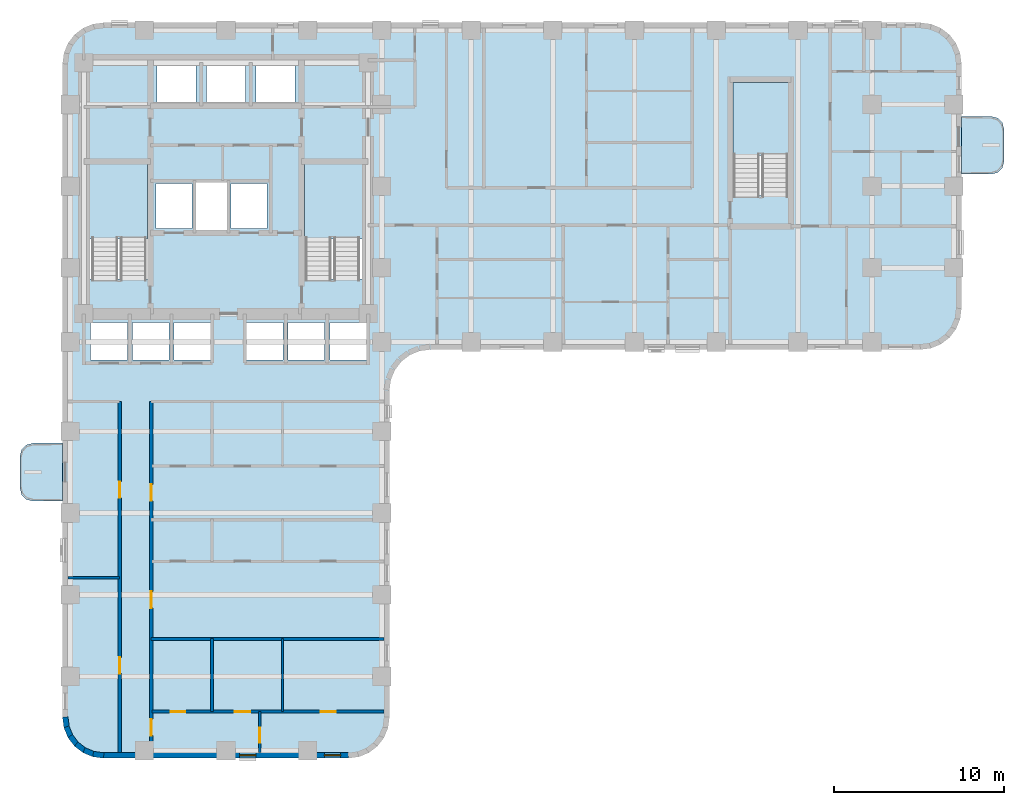
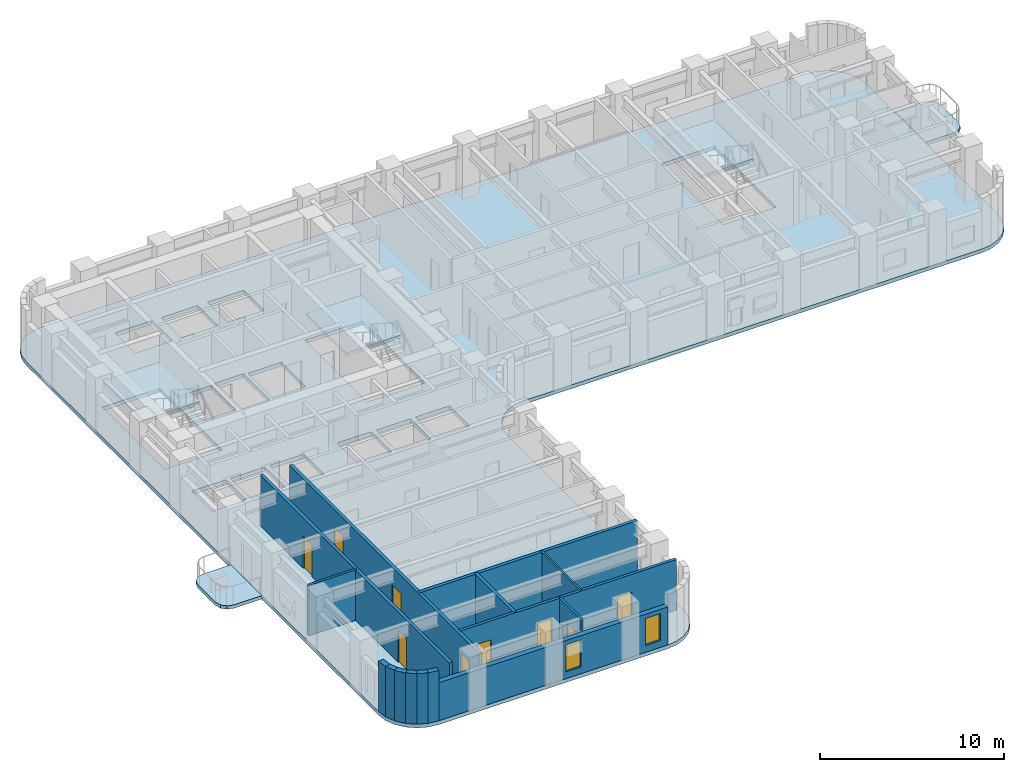
# One storey, part 2 of 10: 15 walls, 9 doors, 6 slabs, 2 windows, 11 openings, 3 elements without a shape of their own.
"""IFC4 building model written with IfcOpenShell, lengths in metres."""

from ifc_helpers import new_model, si_unit, direction, frame, frame_2d, origin, place, context, subcontext, project, spatial, polyline, rectangle, outline, extrude, material, layer, layer_set, type_object, element, fill, aggregate, save


model = new_model("IFC4")

# Units and contexts
model_context = context("Model", 3, precision=1e-05, world=origin(), true_north=direction((0.0, 1.0)))
body_context = subcontext(model_context, "Body", "Model", "MODEL_VIEW")
ifc_project = project(units=[si_unit("LENGTHUNIT", "METRE"), si_unit("AREAUNIT", "SQUARE_METRE"), si_unit("VOLUMEUNIT", "CUBIC_METRE"), si_unit("PLANEANGLEUNIT", "RADIAN"), si_unit("MASSUNIT", "GRAM", prefix="KILO")], contexts=[model_context])

# Site, building, storey
site_placement = place(None, origin())
site = spatial("IfcSite", under=ifc_project, at=site_placement, CompositionType="ELEMENT")
building_placement = place(site_placement, origin())
building = spatial("IfcBuilding", under=site, at=building_placement, Name="Orvandelia Arch Residences", CompositionType="ELEMENT")
storey_placement = place(building_placement, frame((0.0, 0.0, 68.199951171875)))
storey = spatial("IfcBuildingStorey", under=building, at=storey_placement, Name="L17", CompositionType="ELEMENT", Elevation=68.199951171875)

# Slabs
ifc_material_1 = material(Name="Precast concrete C40/50", Category="concrete")
ifc_layer_1 = layer(ifc_material_1, 0.219970703125, Name="Precast concrete C40/50", Category="concrete")
ifc_layer_set_1 = layer_set([ifc_layer_1], Name="Precast concrete C40/50")
slab_type_1 = type_object("IfcSlabType", Name="SLB-BAL-220", PredefinedType="USERDEFINED", material=ifc_layer_set_1)
slab_1_placement = place(storey_placement, frame((0.0, 0.0, -0.219970703125)))
element("IfcSlab", 1, at=slab_1_placement, inside=storey, type_object=slab_type_1, Name="Tree Balcony Cantilever Slab BAL-L17-W1", ObjectType="BALCONY", PredefinedType="USERDEFINED", context=body_context, shape_type="SweptSolid", body=[
    extrude(outline(polyline([(4.800048828125, 19.89990234375), (4.800048828125, 23.300048828125), (3.050048828125, 23.300048828125), (2.675048828125, 23.199462890625), (2.400390625, 22.925048828125), (2.300048828125, 22.550048828125), (2.300048828125, 20.64990234375), (2.400390625, 20.27490234375), (2.675048828125, 20.00048828125), (3.050048828125, 19.89990234375), (4.800048828125, 19.89990234375)])), origin(), (0.0, 0.0, 1.0), 0.219970703125),
])
slab_2_placement = place(storey_placement, frame((0.0, 0.0, -0.219970703125)))
element("IfcSlab", 2, at=slab_2_placement, inside=storey, type_object=slab_type_1, Name="Tree Balcony Cantilever Slab BAL-L17-E1", ObjectType="BALCONY", PredefinedType="USERDEFINED", context=body_context, shape_type="SweptSolid", body=[
    extrude(outline(polyline([(57.60009765625, 42.5), (57.60009765625, 39.10009765625), (59.35009765625, 39.10009765625), (59.72509765625, 39.200439453125), (59.99951171875, 39.47509765625), (60.10009765625, 39.85009765625), (60.10009765625, 41.75), (59.99951171875, 42.125), (59.72509765625, 42.3994140625), (59.35009765625, 42.5), (57.60009765625, 42.5)])), origin(), (0.0, 0.0, 1.0), 0.219970703125),
])

# Stair, slab
ifc_material_2 = material(Name="Concrete C40/50", Category="concrete")
stair_type = type_object("IfcStairType", Name="STAIR-RC-DOGLEG", PredefinedType="HALF_TURN_STAIR", material=ifc_material_2)
stair_1_placement = place(storey_placement, origin())
stair_1 = element("IfcStair", 3, at=stair_1_placement, inside=storey, type_object=stair_type, Name="L17 Protected Exit Stair ST-1", PredefinedType="HALF_TURN_STAIR")
ifc_layer_2 = layer(ifc_material_2, 0.219970703125, Name="Concrete C40/50", Category="concrete")
ifc_layer_set_2 = layer_set([ifc_layer_2], Name="Concrete C40/50")
slab_type_2 = type_object("IfcSlabType", Name="SLB-LANDING-220", PredefinedType="LANDING", material=ifc_layer_set_2)
slab_3_placement = place(storey_placement, frame((0.0, 0.0, 1.60009765625)))
slab_3 = element("IfcSlab", 4, at=slab_3_placement, type_object=slab_type_2, Name="ST-1 landing 1", PredefinedType="LANDING", context=body_context, shape_type="SweptSolid", body=[
    extrude(outline(polyline([(9.800048828125, 35.31005859375), (9.800048828125, 39.68994140625), (6.260009765625, 39.68994140625), (6.260009765625, 35.31005859375), (9.800048828125, 35.31005859375)])), origin(), (0.0, 0.0, 1.0), 0.199951171875),
])
aggregate(stair_1, [slab_3])

stair_2_placement = place(storey_placement, origin())
stair_2 = element("IfcStair", 5, at=stair_2_placement, inside=storey, type_object=stair_type, Name="L17 Protected Exit Stair ST-2", PredefinedType="HALF_TURN_STAIR")
slab_4_placement = place(storey_placement, frame((0.0, 0.0, 1.60009765625)))
slab_4 = element("IfcSlab", 6, at=slab_4_placement, type_object=slab_type_2, Name="ST-2 landing 1", PredefinedType="LANDING", context=body_context, shape_type="SweptSolid", body=[
    extrude(outline(polyline([(22.5400390625, 35.31005859375), (22.5400390625, 39.68994140625), (19.0, 39.68994140625), (19.0, 35.31005859375), (22.5400390625, 35.31005859375)])), origin(), (0.0, 0.0, 1.0), 0.199951171875),
])
aggregate(stair_2, [slab_4])

stair_3_placement = place(storey_placement, origin())
stair_3 = element("IfcStair", 7, at=stair_3_placement, inside=storey, type_object=stair_type, Name="L17 East Wing Exit Stair ST-3", PredefinedType="HALF_TURN_STAIR")
slab_5_placement = place(storey_placement, frame((0.0, 0.0, 1.60009765625)))
slab_5 = element("IfcSlab", 8, at=slab_5_placement, type_object=slab_type_2, Name="ST-3 landing 1", PredefinedType="LANDING", context=body_context, shape_type="SweptSolid", body=[
    extrude(outline(polyline([(47.43994140625, 40.2099609375), (47.43994140625, 44.5), (44.179931640625, 44.5), (44.179931640625, 40.2099609375), (47.43994140625, 40.2099609375)])), origin(), (0.0, 0.0, 1.0), 0.199951171875),
])
aggregate(stair_3, [slab_5])

# Slab
ifc_layer_3 = layer(ifc_material_2, 0.25, Name="Concrete C40/50", Category="concrete")
ifc_layer_set_3 = layer_set([ifc_layer_3], Name="Concrete C40/50")
slab_type_3 = type_object("IfcSlabType", Name="SLB-TWR-250", PredefinedType="FLOOR", material=ifc_layer_set_3)
slab_6_placement = place(storey_placement, frame((0.0, 0.0, -0.25)))
element("IfcSlab", 9, at=slab_6_placement, inside=storey, type_object=slab_type_3, Name="Structural Floor Slab L17-1", PredefinedType="FLOOR", context=body_context, shape_type="SweptSolid", body=[
    extrude(outline(polyline([(4.800048828125, 7.199951171875), (4.8818359375, 6.578857421875), (5.12158203125, 6.0), (5.5029296875, 5.5029296875), (6.0, 5.12158203125), (6.578857421875, 4.8818359375), (7.199951171875, 4.800048828125), (21.60009765625, 4.800048828125), (22.22119140625, 4.8818359375), (22.800048828125, 5.12158203125), (23.297119140625, 5.5029296875), (23.678466796875, 6.0), (23.918212890625, 6.578857421875), (24.0, 7.199951171875), (24.0, 26.39990234375), (24.081787109375, 27.021240234375), (24.321533203125, 27.60009765625), (24.702880859375, 28.09716796875), (25.199951171875, 28.478515625), (25.77880859375, 28.71826171875), (26.39990234375, 28.800048828125), (55.199951171875, 28.800048828125), (55.8212890625, 28.8818359375), (56.39990234375, 29.12158203125), (56.897216796875, 29.5029296875), (57.278564453125, 30.0), (57.518310546875, 30.578857421875), (57.60009765625, 31.199951171875), (57.60009765625, 45.60009765625), (57.518310546875, 46.22119140625), (57.278564453125, 46.800048828125), (56.897216796875, 47.297119140625), (56.39990234375, 47.678466796875), (55.8212890625, 47.918212890625), (55.199951171875, 48.0), (7.199951171875, 48.0), (6.578857421875, 47.918212890625), (6.0, 47.678466796875), (5.5029296875, 47.297119140625), (5.12158203125, 46.800048828125), (4.8818359375, 46.22119140625), (4.800048828125, 45.60009765625), (4.800048828125, 7.199951171875)]), holes=[polyline([(6.219970703125, 32.949951171875), (9.840087890625, 32.949951171875), (9.840087890625, 39.72998046875), (6.219970703125, 39.72998046875), (6.219970703125, 32.949951171875)]), polyline([(18.9599609375, 32.949951171875), (22.580078125, 32.949951171875), (22.580078125, 39.72998046875), (18.9599609375, 39.72998046875), (18.9599609375, 32.949951171875)]), polyline([(44.139892578125, 37.85009765625), (47.47998046875, 37.85009765625), (47.47998046875, 44.5400390625), (44.139892578125, 44.5400390625), (44.139892578125, 37.85009765625)]), polyline([(12.639892578125, 35.81005859375), (14.4599609375, 35.81005859375), (14.4599609375, 38.639892578125), (12.639892578125, 38.639892578125), (12.639892578125, 35.81005859375)]), polyline([(10.300048828125, 35.89990234375), (12.39990234375, 35.89990234375), (12.39990234375, 38.550048828125), (10.300048828125, 38.550048828125), (10.300048828125, 35.89990234375)]), polyline([(14.699951171875, 35.89990234375), (16.800048828125, 35.89990234375), (16.800048828125, 38.550048828125), (14.699951171875, 38.550048828125), (14.699951171875, 35.89990234375)]), polyline([(10.35009765625, 43.300048828125), (12.64990234375, 43.300048828125), (12.64990234375, 45.5), (10.35009765625, 45.5), (10.35009765625, 43.300048828125)]), polyline([(13.25, 43.300048828125), (15.550048828125, 43.300048828125), (15.550048828125, 45.5), (13.25, 45.5), (13.25, 43.300048828125)]), polyline([(16.14990234375, 43.300048828125), (18.449951171875, 43.300048828125), (18.449951171875, 45.5), (16.14990234375, 45.5), (16.14990234375, 43.300048828125)]), polyline([(6.449951171875, 28.199951171875), (8.60009765625, 28.199951171875), (8.60009765625, 30.39990234375), (6.449951171875, 30.39990234375), (6.449951171875, 28.199951171875)]), polyline([(8.89990234375, 28.199951171875), (11.050048828125, 28.199951171875), (11.050048828125, 30.39990234375), (8.89990234375, 30.39990234375), (8.89990234375, 28.199951171875)]), polyline([(11.35009765625, 28.199951171875), (13.5, 28.199951171875), (13.5, 30.39990234375), (11.35009765625, 30.39990234375), (11.35009765625, 28.199951171875)]), polyline([(15.60009765625, 28.199951171875), (17.75, 28.199951171875), (17.75, 30.39990234375), (15.60009765625, 30.39990234375), (15.60009765625, 28.199951171875)]), polyline([(18.050048828125, 28.199951171875), (20.199951171875, 28.199951171875), (20.199951171875, 30.39990234375), (18.050048828125, 30.39990234375), (18.050048828125, 28.199951171875)]), polyline([(20.5, 28.199951171875), (22.64990234375, 28.199951171875), (22.64990234375, 30.39990234375), (20.5, 30.39990234375), (20.5, 28.199951171875)])]), origin(), (0.0, 0.0, 1.0), 0.25),
])

# Wall, openings, doors
ifc_material_3 = material(Name="Fire-Rated Corridor Partition")
ifc_layer_4 = layer(ifc_material_3, 0.199951171875, Name="Fire-Rated Corridor Partition")
ifc_layer_set_4 = layer_set([ifc_layer_4], Name="Fire-Rated Corridor Partition")
wall_type_1 = type_object("IfcWallType", Name="WL-CORR-200", PredefinedType="PARTITIONING", material=ifc_layer_set_4)
wall_1_placement = place(storey_placement, frame((8.14990234375, 5.1201171875, 0.0), z_axis=(0.0, 0.0, 1.0), x_axis=(0.0, 1.0, 0.0)))
wall_1 = element("IfcWall", 10, at=wall_1_placement, inside=storey, type_object=wall_type_1, Name="Interior Partition Wall WL-L17-WC-W", PredefinedType="PARTITIONING", context=body_context, shape_type="SweptSolid", body=[
    extrude(rectangle(XDim=20.6298828125, YDim=0.199951171875, at=frame_2d((10.31494140625, 0.0))), origin(), (0.0, 0.0, 1.0), 3.35009765625),
])
opening_1_placement = place(wall_1_placement, frame((4.64990234375, 0.0, 0.0)))
opening_1 = element("IfcOpeningElement", 11, at=opening_1_placement, cuts=wall_1, Name="Opening D2", PredefinedType="OPENING", context=body_context, shape_type="SweptSolid", body=[
    extrude(rectangle(XDim=0.949951171875, YDim=2.14990234375, at=frame_2d((0.47509765625, 1.074951171875))), frame((0.0, 0.10986328125, 0.0), z_axis=(0.0, -1.0, 0.0), x_axis=(1.0, 0.0, 0.0)), (0.0, 0.0, 1.0), 0.219970703125),
])
opening_2_placement = place(wall_1_placement, frame((14.969970703125, 0.0, 0.0)))
opening_2 = element("IfcOpeningElement", 12, at=opening_2_placement, cuts=wall_1, Name="Opening D2", PredefinedType="OPENING", context=body_context, shape_type="SweptSolid", body=[
    extrude(rectangle(XDim=0.949951171875, YDim=2.14990234375, at=frame_2d((0.47509765625, 1.074951171875))), frame((0.0, 0.10986328125, 0.0), z_axis=(0.0, -1.0, 0.0), x_axis=(1.0, 0.0, 0.0)), (0.0, 0.0, 1.0), 0.219970703125),
])
ifc_material_4 = material(Name="Solid-Core Timber Interior Fire Door", Category="wood")
door_type_1 = type_object("IfcDoorType", Name="DR-APT-950", OperationType="NOTDEFINED", PredefinedType="DOOR", material=ifc_material_4)
door_1_placement = place(opening_1_placement, origin())
door_1 = element("IfcDoor", 13, at=door_1_placement, inside=storey, type_object=door_type_1, Name="DR-L17-WGRM-1", OperationType="SINGLE_SWING_LEFT", OverallHeight=2.14990234375, OverallWidth=0.949951171875, PredefinedType="DOOR", context=body_context, shape_type="SweptSolid", body=[
    extrude(rectangle(XDim=0.949951171875, YDim=2.14990234375, at=frame_2d((0.47509765625, 1.074951171875))), frame((0.0, 0.02490234375, 0.0), z_axis=(0.0, -1.0, 0.0), x_axis=(1.0, 0.0, 0.0)), (0.0, 0.0, 1.0), 0.050048828125),
])
fill(opening_1, door_1)
door_2_placement = place(opening_2_placement, origin())
door_2 = element("IfcDoor", 14, at=door_2_placement, inside=storey, type_object=door_type_1, Name="DR-L17-WGRM-2", OperationType="SINGLE_SWING_RIGHT", OverallHeight=2.14990234375, OverallWidth=0.949951171875, PredefinedType="DOOR", context=body_context, shape_type="SweptSolid", body=[
    extrude(rectangle(XDim=0.949951171875, YDim=2.14990234375, at=frame_2d((0.47509765625, 1.074951171875))), frame((0.0, 0.02490234375, 0.0), z_axis=(0.0, -1.0, 0.0), x_axis=(1.0, 0.0, 0.0)), (0.0, 0.0, 1.0), 0.050048828125),
])
fill(opening_2, door_2)

wall_2_placement = place(storey_placement, frame((10.0, 5.1201171875, 0.0), z_axis=(0.0, 0.0, 1.0), x_axis=(0.0, 1.0, 0.0)))
wall_2 = element("IfcWall", 15, at=wall_2_placement, inside=storey, type_object=wall_type_1, Name="Interior Partition Wall WL-L17-WC-E", PredefinedType="PARTITIONING", context=body_context, shape_type="SweptSolid", body=[
    extrude(rectangle(XDim=20.6298828125, YDim=0.199951171875, at=frame_2d((10.31494140625, 0.0))), origin(), (0.0, 0.0, 1.0), 3.35009765625),
])
opening_3_placement = place(wall_2_placement, frame((0.998046875, 0.0, 0.0)))
opening_3 = element("IfcOpeningElement", 16, at=opening_3_placement, cuts=wall_2, Name="Opening D1", PredefinedType="OPENING", context=body_context, shape_type="SweptSolid", body=[
    extrude(rectangle(XDim=0.97998046875, YDim=2.179931640625, at=frame_2d((0.489990234375, 1.08984375))), frame((0.0, 0.10986328125, 0.0), z_axis=(0.0, -1.0, 0.0), x_axis=(1.0, 0.0, 0.0)), (0.0, 0.0, 1.0), 0.219970703125),
])
opening_4_placement = place(wall_2_placement, frame((8.490966796875, 0.0, 0.0)))
opening_4 = element("IfcOpeningElement", 17, at=opening_4_placement, cuts=wall_2, Name="Opening D1", PredefinedType="OPENING", context=body_context, shape_type="SweptSolid", body=[
    extrude(rectangle(XDim=0.97998046875, YDim=2.179931640625, at=frame_2d((0.489990234375, 1.08984375))), frame((0.0, 0.10986328125, 0.0), z_axis=(0.0, -1.0, 0.0), x_axis=(1.0, 0.0, 0.0)), (0.0, 0.0, 1.0), 0.219970703125),
])
opening_5_placement = place(wall_2_placement, frame((14.787109375, 0.0, 0.0)))
opening_5 = element("IfcOpeningElement", 18, at=opening_5_placement, cuts=wall_2, Name="Opening D1", PredefinedType="OPENING", context=body_context, shape_type="SweptSolid", body=[
    extrude(rectangle(XDim=0.97998046875, YDim=2.179931640625, at=frame_2d((0.489990234375, 1.08984375))), frame((0.0, 0.10986328125, 0.0), z_axis=(0.0, -1.0, 0.0), x_axis=(1.0, 0.0, 0.0)), (0.0, 0.0, 1.0), 0.219970703125),
])
ifc_material_5 = material(Name="Solid-Core Timber Acoustic Fire Door", Category="wood")
door_type_2 = type_object("IfcDoorType", Name="DR-ENT-980", OperationType="NOTDEFINED", PredefinedType="DOOR", material=ifc_material_5)
door_3_placement = place(opening_3_placement, origin())
door_3 = element("IfcDoor", 19, at=door_3_placement, inside=storey, type_object=door_type_2, Name="Unit L17-01 Entrance Door", OperationType="SINGLE_SWING_LEFT", OverallHeight=2.179931640625, OverallWidth=0.97998046875, PredefinedType="DOOR", context=body_context, shape_type="SweptSolid", body=[
    extrude(rectangle(XDim=0.97998046875, YDim=2.179931640625, at=frame_2d((0.489990234375, 1.08984375))), frame((0.0, 0.02490234375, 0.0), z_axis=(0.0, -1.0, 0.0), x_axis=(1.0, 0.0, 0.0)), (0.0, 0.0, 1.0), 0.050048828125),
])
fill(opening_3, door_3)
door_4_placement = place(opening_4_placement, origin())
door_4 = element("IfcDoor", 20, at=door_4_placement, inside=storey, type_object=door_type_2, Name="Unit L17-02 Entrance Door", OperationType="SINGLE_SWING_RIGHT", OverallHeight=2.179931640625, OverallWidth=0.97998046875, PredefinedType="DOOR", context=body_context, shape_type="SweptSolid", body=[
    extrude(rectangle(XDim=0.97998046875, YDim=2.179931640625, at=frame_2d((0.489990234375, 1.08984375))), frame((0.0, 0.02490234375, 0.0), z_axis=(0.0, -1.0, 0.0), x_axis=(1.0, 0.0, 0.0)), (0.0, 0.0, 1.0), 0.050048828125),
])
fill(opening_4, door_4)
door_5_placement = place(opening_5_placement, origin())
door_5 = element("IfcDoor", 21, at=door_5_placement, inside=storey, type_object=door_type_2, Name="Unit L17-03 Entrance Door", OperationType="SINGLE_SWING_LEFT", OverallHeight=2.179931640625, OverallWidth=0.97998046875, PredefinedType="DOOR", context=body_context, shape_type="SweptSolid", body=[
    extrude(rectangle(XDim=0.97998046875, YDim=2.179931640625, at=frame_2d((0.489990234375, 1.08984375))), frame((0.0, 0.02490234375, 0.0), z_axis=(0.0, -1.0, 0.0), x_axis=(1.0, 0.0, 0.0)), (0.0, 0.0, 1.0), 0.050048828125),
])
fill(opening_5, door_5)

# Wall
ifc_layer_5 = layer(ifc_material_2, 0.199951171875, Name="Concrete C40/50", Category="concrete")
ifc_layer_set_5 = layer_set([ifc_layer_5], Name="Concrete C40/50")
wall_type_2 = type_object("IfcWallType", Name="WL-DEM-200", PredefinedType="SOLIDWALL", material=ifc_layer_set_5)
wall_3_placement = place(storey_placement, frame((10.0, 11.800048828125, 0.0), z_axis=(0.0, 0.0, 1.0), x_axis=(1.0, 0.0, 0.0)))
element("IfcWall", 22, at=wall_3_placement, inside=storey, type_object=wall_type_2, Name="Interior Partition Wall WL-L17-DEM-WR-118", PredefinedType="SOLIDWALL", context=body_context, shape_type="SweptSolid", body=[
    extrude(rectangle(XDim=13.679931640625, YDim=0.199951171875, at=frame_2d((6.83984375, 0.0))), origin(), (0.0, 0.0, 1.0), 3.35009765625),
])

# Wall, openings, windows
ifc_layer_6 = layer(ifc_material_1, 0.320068359375, Name="Precast concrete C40/50", Category="concrete")
ifc_layer_set_6 = layer_set([ifc_layer_6], Name="Precast concrete C40/50")
wall_type_3 = type_object("IfcWallType", Name="WL-EXT-STONE-320", PredefinedType="STANDARD", material=ifc_layer_set_6)
wall_4_placement = place(storey_placement, frame((21.60009765625, 4.9599609375, 0.0), z_axis=(0.0, 0.0, 1.0), x_axis=(-1.0, 0.0, 0.0)))
wall_4 = element("IfcWall", 23, at=wall_4_placement, inside=storey, type_object=wall_type_3, Name="Coral-Limestone Precast Facade Wall L17-035", PredefinedType="STANDARD", context=body_context, shape_type="SweptSolid", body=[
    extrude(rectangle(XDim=14.400146484375, YDim=0.320068359375, at=frame_2d((7.2001953125, 0.0))), origin(), (0.0, 0.0, 1.0), 2.530029296875),
])
opening_6_placement = place(wall_4_placement, frame((5.450439453125, 0.0, 0.449951171875)))
opening_6 = element("IfcOpeningElement", 24, at=opening_6_placement, cuts=wall_4, Name="Opening W4", PredefinedType="OPENING", context=body_context, shape_type="SweptSolid", body=[
    extrude(rectangle(XDim=0.949951171875, YDim=1.800048828125, at=frame_2d((0.47509765625, 0.89990234375))), frame((0.0, 0.169921875, 0.0), z_axis=(0.0, -1.0, 0.0), x_axis=(1.0, 0.0, 0.0)), (0.0, 0.0, 1.0), 0.340087890625),
])
opening_7_placement = place(wall_4_placement, frame((0.469970703125, 0.0, 0.449951171875)))
opening_7 = element("IfcOpeningElement", 25, at=opening_7_placement, cuts=wall_4, Name="Opening W4", PredefinedType="OPENING", context=body_context, shape_type="SweptSolid", body=[
    extrude(rectangle(XDim=0.949951171875, YDim=1.800048828125, at=frame_2d((0.47509765625, 0.89990234375))), frame((0.0, 0.169921875, 0.0), z_axis=(0.0, -1.0, 0.0), x_axis=(1.0, 0.0, 0.0)), (0.0, 0.0, 1.0), 0.340087890625),
])
ifc_material_6 = material(Name="Tempered Low-E Insulated Glazing", Category="glass")
window_type = type_object("IfcWindowType", Name="WIN-RES-0950x1800", PartitioningType="SINGLE_PANEL", PredefinedType="WINDOW", material=ifc_material_6)
window_1_placement = place(opening_6_placement, origin())
window_1 = element("IfcWindow", 26, at=window_1_placement, inside=storey, type_object=window_type, Name="Recessed Punched Window L17-024", OverallHeight=1.800048828125, OverallWidth=0.949951171875, PartitioningType="SINGLE_PANEL", PredefinedType="WINDOW", context=body_context, shape_type="SweptSolid", body=[
    extrude(rectangle(XDim=0.949951171875, YDim=1.800048828125, at=frame_2d((0.47509765625, 0.89990234375))), frame((0.0, 0.030029296875, 0.0), z_axis=(0.0, -1.0, 0.0), x_axis=(1.0, 0.0, 0.0)), (0.0, 0.0, 1.0), 0.06005859375),
])
fill(opening_6, window_1)
window_2_placement = place(opening_7_placement, origin())
window_2 = element("IfcWindow", 27, at=window_2_placement, inside=storey, type_object=window_type, Name="Recessed Punched Window L17-025", OverallHeight=1.800048828125, OverallWidth=0.949951171875, PartitioningType="SINGLE_PANEL", PredefinedType="WINDOW", context=body_context, shape_type="SweptSolid", body=[
    extrude(rectangle(XDim=0.949951171875, YDim=1.800048828125, at=frame_2d((0.47509765625, 0.89990234375))), frame((0.0, 0.030029296875, 0.0), z_axis=(0.0, -1.0, 0.0), x_axis=(1.0, 0.0, 0.0)), (0.0, 0.0, 1.0), 0.06005859375),
])
fill(opening_7, window_2)

# Walls
wall_5_placement = place(storey_placement, frame((7.220947265625, 4.95849609375, 0.0), z_axis=(0.0, 0.0, 1.0), x_axis=(-0.991447664465, 0.130504898859, 0.0)))
element("IfcWall", 28, at=wall_5_placement, inside=storey, type_object=wall_type_3, Name="Coral-Limestone Precast Facade Wall L17-036", PredefinedType="STANDARD", context=body_context, shape_type="SweptSolid", body=[
    extrude(rectangle(XDim=0.626708984375, YDim=0.320068359375, at=frame_2d((0.3134765625, 0.0))), origin(), (0.0, 0.0, 1.0), 3.35009765625),
])
wall_6_placement = place(storey_placement, frame((6.639892578125, 5.029541015625, 0.0), z_axis=(0.0, 0.0, 1.0), x_axis=(-0.923836271867, 0.382787856107, 0.0)))
element("IfcWall", 29, at=wall_6_placement, inside=storey, type_object=wall_type_3, Name="Coral-Limestone Precast Facade Wall L17-037", PredefinedType="STANDARD", context=body_context, shape_type="SweptSolid", body=[
    extrude(rectangle(XDim=0.626220703125, YDim=0.320068359375, at=frame_2d((0.31298828125, 0.0))), origin(), (0.0, 0.0, 1.0), 3.35009765625),
])
for number, where, z_axis, x_axis, name in (
    (30, (6.097412109375, 5.248291015625, 0.0), (0.0, 0.0, 1.0), (-0.7932174212, 0.608938521285, 0.0), "Coral-Limestone Precast Facade Wall L17-038"),
    (31, (5.6298828125, 5.600341796875, 0.0), (0.0, 0.0, 1.0), (-0.608938521285, 0.7932174212, 0.0), "Coral-Limestone Precast Facade Wall L17-039"),
):
    element("IfcWall", number, at=place(storey_placement, frame(where, z_axis=z_axis, x_axis=x_axis)), inside=storey, type_object=wall_type_3, Name=name, PredefinedType="STANDARD", context=body_context, shape_type="SweptSolid", body=[
        extrude(rectangle(XDim=0.626708984375, YDim=0.320068359375, at=frame_2d((0.3134765625, 0.0))), origin(), (0.0, 0.0, 1.0), 3.35009765625),
    ])
wall_7_placement = place(storey_placement, frame((5.269287109375, 6.061279296875, 0.0), z_axis=(0.0, 0.0, 1.0), x_axis=(-0.382787856107, 0.923836271867, 0.0)))
element("IfcWall", 32, at=wall_7_placement, inside=storey, type_object=wall_type_3, Name="Coral-Limestone Precast Facade Wall L17-040", PredefinedType="STANDARD", context=body_context, shape_type="SweptSolid", body=[
    extrude(rectangle(XDim=0.626220703125, YDim=0.320068359375, at=frame_2d((0.31298828125, 0.0))), origin(), (0.0, 0.0, 1.0), 3.35009765625),
])
wall_8_placement = place(storey_placement, frame((5.040283203125, 6.599609375, 0.0), z_axis=(0.0, 0.0, 1.0), x_axis=(-0.130504898859, 0.991447664465, 0.0)))
element("IfcWall", 33, at=wall_8_placement, inside=storey, type_object=wall_type_3, Name="Coral-Limestone Precast Facade Wall L17-041", PredefinedType="STANDARD", context=body_context, shape_type="SweptSolid", body=[
    extrude(rectangle(XDim=0.626708984375, YDim=0.320068359375, at=frame_2d((0.3134765625, 0.0))), origin(), (0.0, 0.0, 1.0), 3.35009765625),
])
ifc_material_7 = material(Name="Lightweight Gypsum Stud Partition")
ifc_layer_7 = layer(ifc_material_7, 0.1201171875, Name="Lightweight Gypsum Stud Partition")
ifc_layer_set_7 = layer_set([ifc_layer_7], Name="Lightweight Gypsum Stud Partition")
wall_type_4 = type_object("IfcWallType", Name="WL-PART-120", PredefinedType="PARTITIONING", material=ifc_layer_set_7)
wall_9_placement = place(storey_placement, frame((17.720947265625, 7.535888671875, 0.0), z_axis=(0.0, 0.0, 1.0), x_axis=(0.0, 1.0, 0.0)))
element("IfcWall", 34, at=wall_9_placement, inside=storey, type_object=wall_type_4, Name="Interior Partition Wall WL-L17-U01-V2", PredefinedType="PARTITIONING", context=body_context, shape_type="SweptSolid", body=[
    extrude(rectangle(XDim=4.30419921875, YDim=0.1201171875, at=frame_2d((2.152099609375, 0.0))), origin(), (0.0, 0.0, 1.0), 3.35009765625),
])

# Wall, opening, door
ifc_material_8 = material(Name="Double-Layer Acoustic Gypsum Partition")
ifc_layer_8 = layer(ifc_material_8, 0.135009765625, Name="Double-Layer Acoustic Gypsum Partition")
ifc_layer_set_8 = layer_set([ifc_layer_8], Name="Double-Layer Acoustic Gypsum Partition")
wall_type_5 = type_object("IfcWallType", Name="WL-PART-135", PredefinedType="PARTITIONING", material=ifc_layer_set_8)
wall_10_placement = place(storey_placement, frame((16.37890625, 5.1201171875, 0.0), z_axis=(0.0, 0.0, 1.0), x_axis=(0.0, 1.0, 0.0)))
wall_10 = element("IfcWall", 35, at=wall_10_placement, inside=storey, type_object=wall_type_5, Name="Interior Partition Wall WL-L17-U01-DIN", PredefinedType="PARTITIONING", context=body_context, shape_type="SweptSolid", body=[
    extrude(rectangle(XDim=2.415771484375, YDim=0.135009765625, at=frame_2d((1.2080078125, 0.0))), origin(), (0.0, 0.0, 1.0), 3.35009765625),
])
opening_8_placement = place(wall_10_placement, frame((0.580078125, 0.0, 0.0)))
opening_8 = element("IfcOpeningElement", 36, at=opening_8_placement, cuts=wall_10, Name="Opening D3", PredefinedType="OPENING", context=body_context, shape_type="SweptSolid", body=[
    extrude(rectangle(XDim=0.89990234375, YDim=2.14990234375, at=frame_2d((0.449951171875, 1.074951171875))), frame((0.0, 0.07763671875, 0.0), z_axis=(0.0, -1.0, 0.0), x_axis=(1.0, 0.0, 0.0)), (0.0, 0.0, 1.0), 0.155029296875),
])
ifc_material_9 = material(Name="Engineered Timber Flush Door", Category="wood")
door_type_3 = type_object("IfcDoorType", Name="DR-INT-900", OperationType="NOTDEFINED", PredefinedType="DOOR", material=ifc_material_9)
door_6_placement = place(opening_8_placement, origin())
door_6 = element("IfcDoor", 37, at=door_6_placement, inside=storey, type_object=door_type_3, Name="DR-L17-U01-DIN", OperationType="SINGLE_SWING_RIGHT", OverallHeight=2.14990234375, OverallWidth=0.89990234375, PredefinedType="DOOR", context=body_context, shape_type="SweptSolid", body=[
    extrude(rectangle(XDim=0.89990234375, YDim=2.14990234375, at=frame_2d((0.449951171875, 1.074951171875))), frame((0.0, 0.02490234375, 0.0), z_axis=(0.0, -1.0, 0.0), x_axis=(1.0, 0.0, 0.0)), (0.0, 0.0, 1.0), 0.050048828125),
])
fill(opening_8, door_6)

# Wall
ifc_material_10 = material(Name="Acoustic Gypsum Stud Partition")
ifc_layer_9 = layer(ifc_material_10, 0.14990234375, Name="Acoustic Gypsum Stud Partition")
ifc_layer_set_9 = layer_set([ifc_layer_9], Name="Acoustic Gypsum Stud Partition")
wall_type_6 = type_object("IfcWallType", Name="WL-PART-150", PredefinedType="PARTITIONING", material=ifc_layer_set_9)
wall_11_placement = place(storey_placement, frame((5.1201171875, 15.39990234375, 0.0), z_axis=(0.0, 0.0, 1.0), x_axis=(1.0, 0.0, 0.0)))
element("IfcWall", 38, at=wall_11_placement, inside=storey, type_object=wall_type_6, Name="Interior Partition Wall WL-L17-WGDIV-1", PredefinedType="PARTITIONING", context=body_context, shape_type="SweptSolid", body=[
    extrude(rectangle(XDim=3.02978515625, YDim=0.14990234375, at=frame_2d((1.514892578125, 0.0))), origin(), (0.0, 0.0, 1.0), 3.35009765625),
])

# Wall, openings, doors
ifc_material_11 = material(Name="Moisture-Resistant Plumbing Wall")
ifc_layer_10 = layer(ifc_material_11, 0.179931640625, Name="Moisture-Resistant Plumbing Wall")
ifc_layer_set_10 = layer_set([ifc_layer_10], Name="Moisture-Resistant Plumbing Wall")
wall_type_7 = type_object("IfcWallType", Name="WL-WET-180", PredefinedType="PLUMBINGWALL", material=ifc_layer_set_10)
wall_12_placement = place(storey_placement, frame((10.06005859375, 7.535888671875, 0.0), z_axis=(0.0, 0.0, 1.0), x_axis=(1.0, 0.0, 0.0)))
wall_12 = element("IfcWall", 39, at=wall_12_placement, inside=storey, type_object=wall_type_7, Name="Interior Partition Wall WL-L17-U01-HZ", PredefinedType="PLUMBINGWALL", context=body_context, shape_type="SweptSolid", body=[
    extrude(rectangle(XDim=13.619873046875, YDim=0.179931640625, at=frame_2d((6.81005859375, 0.0))), origin(), (0.0, 0.0, 1.0), 3.35009765625),
])
opening_9_placement = place(wall_12_placement, frame((1.0908203125, 0.0, 0.0)))
opening_9 = element("IfcOpeningElement", 40, at=opening_9_placement, cuts=wall_12, Name="Opening D4", PredefinedType="OPENING", context=body_context, shape_type="SweptSolid", body=[
    extrude(rectangle(XDim=0.860107421875, YDim=2.10009765625, at=frame_2d((0.43017578125, 1.050048828125))), frame((0.0, 0.10009765625, 0.0), z_axis=(0.0, -1.0, 0.0), x_axis=(1.0, 0.0, 0.0)), (0.0, 0.0, 1.0), 0.199951171875),
])
opening_10_placement = place(wall_12_placement, frame((4.8681640625, 0.0, 0.0)))
opening_10 = element("IfcOpeningElement", 41, at=opening_10_placement, cuts=wall_12, Name="Opening D3", PredefinedType="OPENING", context=body_context, shape_type="SweptSolid", body=[
    extrude(rectangle(XDim=0.89990234375, YDim=2.14990234375, at=frame_2d((0.449951171875, 1.074951171875))), frame((0.0, 0.10009765625, 0.0), z_axis=(0.0, -1.0, 0.0), x_axis=(1.0, 0.0, 0.0)), (0.0, 0.0, 1.0), 0.199951171875),
])
opening_11_placement = place(wall_12_placement, frame((9.897216796875, 0.0, 0.0)))
opening_11 = element("IfcOpeningElement", 42, at=opening_11_placement, cuts=wall_12, Name="Opening D3", PredefinedType="OPENING", context=body_context, shape_type="SweptSolid", body=[
    extrude(rectangle(XDim=0.89990234375, YDim=2.14990234375, at=frame_2d((0.449951171875, 1.074951171875))), frame((0.0, 0.10009765625, 0.0), z_axis=(0.0, -1.0, 0.0), x_axis=(1.0, 0.0, 0.0)), (0.0, 0.0, 1.0), 0.199951171875),
])
door_7_placement = place(opening_10_placement, origin())
door_7 = element("IfcDoor", 43, at=door_7_placement, inside=storey, type_object=door_type_3, Name="DR-L17-U01-KIT", OperationType="SINGLE_SWING_LEFT", OverallHeight=2.14990234375, OverallWidth=0.89990234375, PredefinedType="DOOR", context=body_context, shape_type="SweptSolid", body=[
    extrude(rectangle(XDim=0.89990234375, YDim=2.14990234375, at=frame_2d((0.449951171875, 1.074951171875))), frame((0.0, 0.02490234375, 0.0), z_axis=(0.0, -1.0, 0.0), x_axis=(1.0, 0.0, 0.0)), (0.0, 0.0, 1.0), 0.050048828125),
])
fill(opening_10, door_7)
door_8_placement = place(opening_11_placement, origin())
door_8 = element("IfcDoor", 44, at=door_8_placement, inside=storey, type_object=door_type_3, Name="DR-L17-U01-BD1", OperationType="SINGLE_SWING_RIGHT", OverallHeight=2.14990234375, OverallWidth=0.89990234375, PredefinedType="DOOR", context=body_context, shape_type="SweptSolid", body=[
    extrude(rectangle(XDim=0.89990234375, YDim=2.14990234375, at=frame_2d((0.449951171875, 1.074951171875))), frame((0.0, 0.02490234375, 0.0), z_axis=(0.0, -1.0, 0.0), x_axis=(1.0, 0.0, 0.0)), (0.0, 0.0, 1.0), 0.050048828125),
])
fill(opening_11, door_8)
ifc_material_12 = material(Name="Moisture-Sealed Timber Bathroom Door", Category="wood")
door_type_4 = type_object("IfcDoorType", Name="DR-WET-900", OperationType="NOTDEFINED", PredefinedType="DOOR", material=ifc_material_12)
door_9_placement = place(opening_9_placement, origin())
door_9 = element("IfcDoor", 45, at=door_9_placement, inside=storey, type_object=door_type_4, Name="DR-L17-U01-BTH", OperationType="SINGLE_SWING_RIGHT", OverallHeight=2.10009765625, OverallWidth=0.860107421875, PredefinedType="DOOR", context=body_context, shape_type="SweptSolid", body=[
    extrude(rectangle(XDim=0.860107421875, YDim=2.10009765625, at=frame_2d((0.43017578125, 1.050048828125))), frame((0.0, 0.02490234375, 0.0), z_axis=(0.0, -1.0, 0.0), x_axis=(1.0, 0.0, 0.0)), (0.0, 0.0, 1.0), 0.050048828125),
])
fill(opening_9, door_9)

# Wall
wall_13_placement = place(storey_placement, frame((13.583984375, 7.535888671875, 0.0), z_axis=(0.0, 0.0, 1.0), x_axis=(0.0, 1.0, 0.0)))
element("IfcWall", 46, at=wall_13_placement, inside=storey, type_object=wall_type_7, Name="Interior Partition Wall WL-L17-U01-V1", PredefinedType="PLUMBINGWALL", context=body_context, shape_type="SweptSolid", body=[
    extrude(rectangle(XDim=4.30419921875, YDim=0.179931640625, at=frame_2d((2.152099609375, 0.0))), origin(), (0.0, 0.0, 1.0), 3.35009765625),
])

save(model, "model.ifc")
